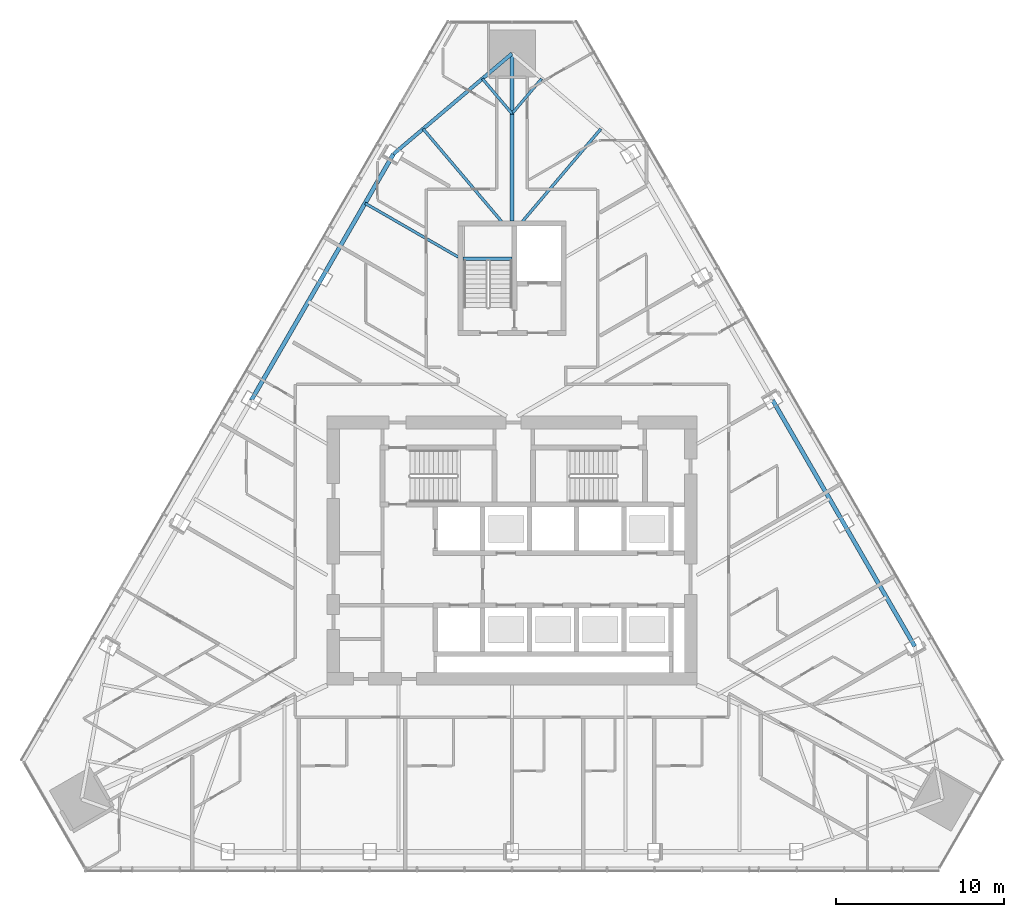
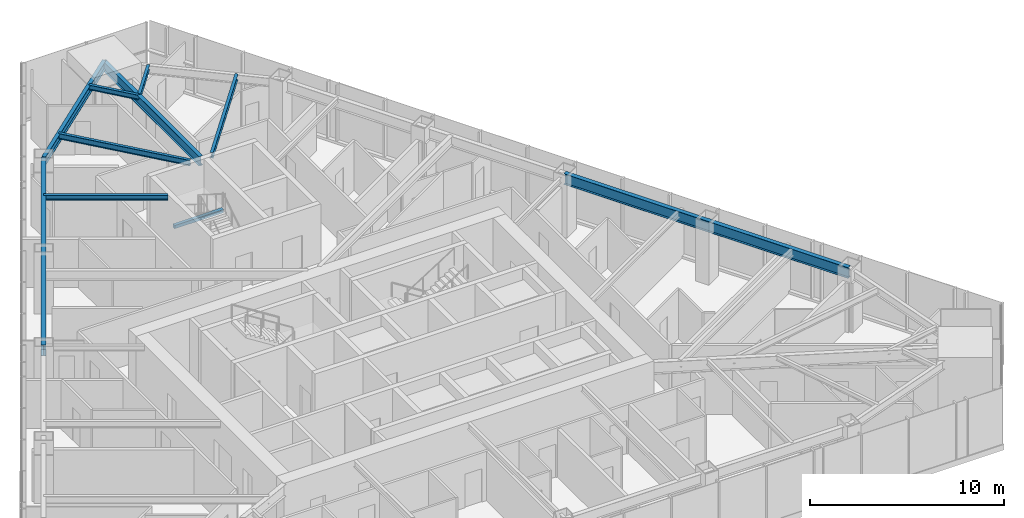
# One storey, part 10 of 20: 10 beams.
"""IFC4 building model written with IfcOpenShell, lengths in metres."""

from ifc_helpers import new_model, si_unit, direction, frame, origin, origin_2d, place, context, subcontext, project, spatial, rectangle, i_section, extrude, material, material_profile, profile_set, type_object, element, save


model = new_model("IFC4")

# Units and contexts
model_context = context("Model", 3, precision=1e-05, world=origin(), true_north=direction((0.0, 1.0)))
body_context = subcontext(model_context, "Body", "Model", "MODEL_VIEW")
ifc_project = project(units=[si_unit("LENGTHUNIT", "METRE"), si_unit("AREAUNIT", "SQUARE_METRE"), si_unit("VOLUMEUNIT", "CUBIC_METRE"), si_unit("PLANEANGLEUNIT", "RADIAN"), si_unit("MASSUNIT", "GRAM", prefix="KILO")], contexts=[model_context])

# Site, building, storey
site_placement = place(None, origin())
site = spatial("IfcSite", under=ifc_project, at=site_placement, CompositionType="ELEMENT")
building_placement = place(site_placement, origin())
building = spatial("IfcBuilding", under=site, at=building_placement, Name="Firuza Gate Tower and Library", CompositionType="ELEMENT")
storey_placement = place(building_placement, frame((0.0, 0.0, 214.300048828125)))
storey = spatial("IfcBuildingStorey", under=building, at=storey_placement, Name="L50", CompositionType="ELEMENT", Elevation=214.300048828125)

# Beams
ifc_material_1 = material(Name="Concrete C35/45", Category="concrete")
ifc_material_profile_1 = material_profile(ifc_material_1, rectangle(XDim=0.199951171875, YDim=0.199951171875, at=origin_2d()))
ifc_profile_set_1 = profile_set([ifc_material_profile_1], Name="Concrete C35/45")
beam_type_1 = type_object("IfcBeamType", Name="Stair landing bearer 200x200", PredefinedType="BEAM", material=ifc_profile_set_1)
beam_1_placement = place(storey_placement, frame((75.0, 92.3701171875, 1.64990234375), z_axis=(-1.0, 0.0, 0.0), x_axis=(0.0, -1.0, 0.0)))
element("IfcBeam", 1, at=beam_1_placement, inside=storey, type_object=beam_type_1, Name="Landing bearer L50 stair 3", PredefinedType="BEAM", context=body_context, shape_type="SweptSolid", body=[
    extrude(rectangle(XDim=0.199951171875, YDim=0.199951171875, at=origin_2d()), origin(), (0.0, 0.0, 1.0), 2.89990234375),
])
ifc_material_2 = material(Name="Steel S355", Category="steel")
ifc_material_profile_2 = material_profile(ifc_material_2, i_section(OverallWidth=0.1650390625, OverallDepth=0.31005859375, WebThickness=0.005859375, FlangeThickness=0.009765625, at=origin_2d()))
ifc_profile_set_2 = profile_set([ifc_material_profile_2], Name="Steel S355")
beam_type_2 = type_object("IfcBeamType", Name="W310x39 Floor beam", PredefinedType="JOIST", material=ifc_profile_set_2)
for number, where, z_axis, x_axis, name in (
    (2, (76.76220703125, 103.076416015625, 3.544921875), (-0.646532298438, -0.762886614823, 0.0), (0.762886614823, -0.646532298438, 0.0), "Floor beam L50 s61"),
    (3, (73.23779296875, 103.076416015625, 3.544921875), (0.646532298438, -0.762886614823, 0.0), (0.762886614823, 0.646532298438, 0.0), "Floor beam L50 s70"),
):
    element("IfcBeam", number, at=place(storey_placement, frame(where, z_axis=z_axis, x_axis=x_axis)), inside=storey, type_object=beam_type_2, Name=name, PredefinedType="JOIST", context=body_context, shape_type="SweptSolid", body=[
        extrude(i_section(OverallWidth=0.1650390625, OverallDepth=0.31005859375, WebThickness=0.005859375, FlangeThickness=0.009765625, at=origin_2d()), origin(), (0.0, 0.0, 1.0), 2.7255859375),
    ])
beam_2_placement = place(storey_placement, frame((66.260498046875, 95.667724609375, 3.544921875), z_axis=(0.866026686418, -0.499997778408, 0.0), x_axis=(0.499997778408, 0.866026686418, 0.0)))
element("IfcBeam", 4, at=beam_2_placement, inside=storey, type_object=beam_type_2, Name="Floor beam L50 s80", PredefinedType="JOIST", context=body_context, shape_type="SweptSolid", body=[
    extrude(i_section(OverallWidth=0.1650390625, OverallDepth=0.31005859375, WebThickness=0.005859375, FlangeThickness=0.009765625, at=origin_2d()), origin(), (0.0, 0.0, 1.0), 6.396484375),
])
ifc_material_3 = material(Name="Steel S355", Category="steel")
ifc_material_profile_3 = material_profile(ifc_material_3, i_section(OverallWidth=0.1708984375, OverallDepth=0.35498046875, WebThickness=0.007080078125, FlangeThickness=0.01171875, at=origin_2d()))
ifc_profile_set_3 = profile_set([ifc_material_profile_3], Name="Steel S355")
beam_type_3 = type_object("IfcBeamType", Name="W360x51 Floor beam", PredefinedType="JOIST", material=ifc_profile_set_3)
for number, where, z_axis, x_axis, name in (
    (5, (80.286376953125, 100.090087890625, 3.5224609375), (-0.646506300363, -0.76290864695, 0.0), (0.76290864695, -0.646506300363, 0.0), "Floor beam L50 s60"),
    (6, (69.713623046875, 100.090087890625, 3.5224609375), (0.646506300363, -0.76290864695, 0.0), (0.76290864695, 0.646506300363, 0.0), "Floor beam L50 s71"),
):
    element("IfcBeam", number, at=place(storey_placement, frame(where, z_axis=z_axis, x_axis=x_axis)), inside=storey, type_object=beam_type_3, Name=name, PredefinedType="JOIST", context=body_context, shape_type="SweptSolid", body=[
        extrude(i_section(OverallWidth=0.1708984375, OverallDepth=0.35498046875, WebThickness=0.007080078125, FlangeThickness=0.01171875, at=origin_2d()), origin(), (0.0, 0.0, 1.0), 7.196044921875),
    ])
ifc_material_4 = material(Name="Steel S355", Category="steel")
ifc_material_profile_4 = material_profile(ifc_material_4, i_section(OverallWidth=0.212890625, OverallDepth=0.5390625, WebThickness=0.01171875, FlangeThickness=0.018798828125, at=origin_2d()))
ifc_profile_set_4 = profile_set([ifc_material_profile_4], Name="Steel S355")
beam_type_4 = type_object("IfcBeamType", Name="W530x109 Edge beam", PredefinedType="SPANDREL", material=ifc_profile_set_4)
beam_3_placement = place(storey_placement, frame((75.0, 104.56982421875, 3.430419921875), z_axis=(-0.762909959778, -0.646504751159, 0.0), x_axis=(0.646504751159, -0.762909959778, 0.0)))
element("IfcBeam", 7, at=beam_3_placement, inside=storey, type_object=beam_type_4, Name="Edge beam L50 e70", PredefinedType="SPANDREL", context=body_context, shape_type="SweptSolid", body=[
    extrude(i_section(OverallWidth=0.212890625, OverallDepth=0.5390625, WebThickness=0.01171875, FlangeThickness=0.018798828125, at=origin_2d()), origin(), (0.0, 0.0, 1.0), 9.23876953125),
])
ifc_material_5 = material(Name="Steel S355", Category="steel")
ifc_material_profile_5 = material_profile(ifc_material_5, i_section(OverallWidth=0.22802734375, OverallDepth=0.60302734375, WebThickness=0.010498046875, FlangeThickness=0.014892578125, at=origin_2d()))
ifc_profile_set_5 = profile_set([ifc_material_profile_5], Name="Steel S355")
beam_type_5 = type_object("IfcBeamType", Name="W610x101 Girder", PredefinedType="BEAM", material=ifc_profile_set_5)
beam_4_placement = place(storey_placement, frame((75.0, 104.56982421875, 3.3984375), z_axis=(0.0, -1.0, 0.0), x_axis=(1.0, 0.0, 0.0)))
element("IfcBeam", 8, at=beam_4_placement, inside=storey, type_object=beam_type_5, Name="Girder L50 gN", PredefinedType="BEAM", context=body_context, shape_type="SweptSolid", body=[
    extrude(i_section(OverallWidth=0.22802734375, OverallDepth=0.60302734375, WebThickness=0.010498046875, FlangeThickness=0.014892578125, at=origin_2d()), origin(), (0.0, 0.0, 1.0), 9.9697265625),
])
ifc_material_6 = material(Name="Steel S355", Category="steel")
ifc_material_profile_6 = material_profile(ifc_material_6, i_section(OverallWidth=0.2529296875, OverallDepth=0.677978515625, WebThickness=0.01171875, FlangeThickness=0.016357421875, at=origin_2d()))
ifc_profile_set_6 = profile_set([ifc_material_profile_6], Name="Steel S355")
beam_type_6 = type_object("IfcBeamType", Name="W690x125 Edge beam", PredefinedType="SPANDREL", material=ifc_profile_set_6)
beam_5_placement = place(storey_placement, frame((98.959716796875, 69.3056640625, 3.36083984375), z_axis=(-0.499999047742, 0.86602595357, 0.0), x_axis=(-0.86602595357, -0.499999047742, 0.0)))
element("IfcBeam", 9, at=beam_5_placement, inside=storey, type_object=beam_type_6, Name="Edge beam L50 e50", PredefinedType="SPANDREL", context=body_context, shape_type="SweptSolid", body=[
    extrude(i_section(OverallWidth=0.2529296875, OverallDepth=0.677978515625, WebThickness=0.01171875, FlangeThickness=0.016357421875, at=origin_2d()), origin(), (0.0, 0.0, 1.0), 16.9111328125),
])
beam_6_placement = place(storey_placement, frame((67.95166015625, 98.596923828125, 3.36083984375), z_axis=(-0.500003623902, -0.866023311513, 0.0), x_axis=(0.866023311513, -0.500003623902, 0.0)))
element("IfcBeam", 10, at=beam_6_placement, inside=storey, type_object=beam_type_6, Name="Edge beam L50 e80", PredefinedType="SPANDREL", context=body_context, shape_type="SweptSolid", body=[
    extrude(i_section(OverallWidth=0.2529296875, OverallDepth=0.677978515625, WebThickness=0.01171875, FlangeThickness=0.016357421875, at=origin_2d()), origin(), (0.0, 0.0, 1.0), 16.911376953125),
])

save(model, "model.ifc")
